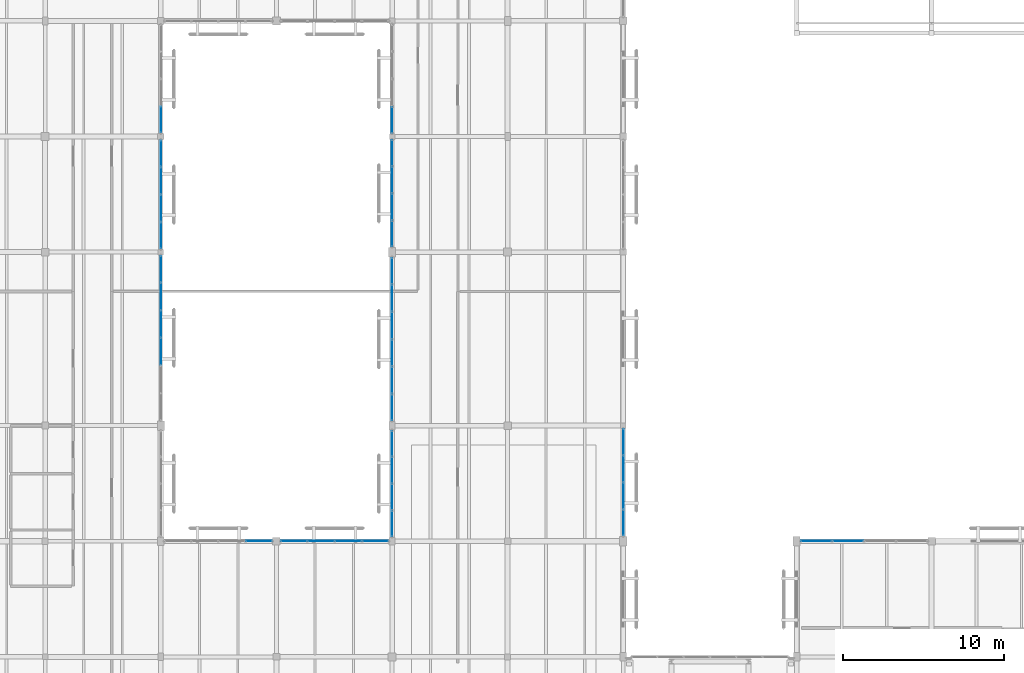
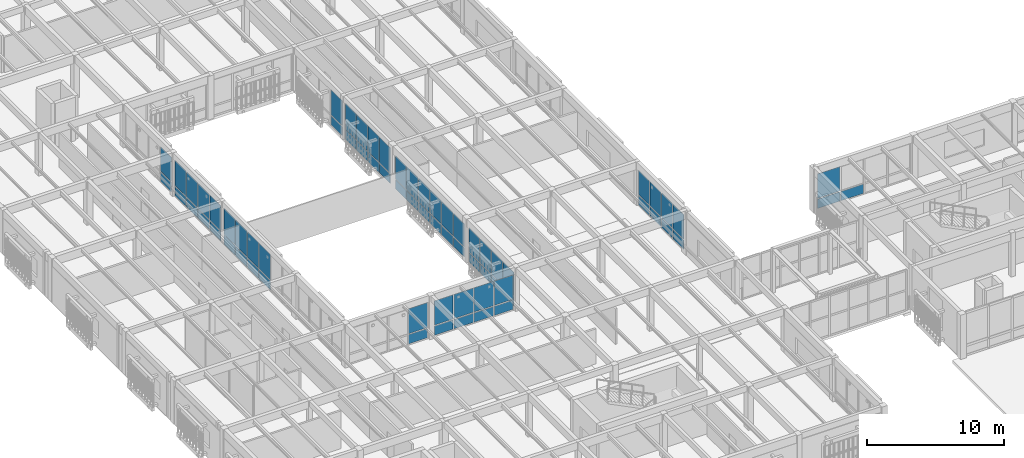
# One storey, part 164 of 217: 69 plates, 11 elements without a shape of their own.
"""IFC4 building model written with IfcOpenShell, lengths in metres."""

from ifc_helpers import new_model, si_unit, direction, frame, origin, origin_2d, place, context, subcontext, project, spatial, rectangle, extrude, material, layer, layer_set, type_object, element, aggregate, save


model = new_model("IFC4")

# Units and contexts
model_context = context("Model", 3, precision=1e-05, world=origin(), true_north=direction((0.0, 1.0)))
body_context = subcontext(model_context, "Body", "Model", "MODEL_VIEW")
ifc_project = project(units=[si_unit("LENGTHUNIT", "METRE"), si_unit("AREAUNIT", "SQUARE_METRE"), si_unit("VOLUMEUNIT", "CUBIC_METRE"), si_unit("PLANEANGLEUNIT", "RADIAN"), si_unit("MASSUNIT", "GRAM", prefix="KILO")], contexts=[model_context])

# Site, building, storey
site_placement = place(None, origin())
site = spatial("IfcSite", under=ifc_project, at=site_placement, CompositionType="ELEMENT")
building_placement = place(site_placement, origin())
building = spatial("IfcBuilding", under=site, at=building_placement, Name="Mazaris Harbour Polytechnic", CompositionType="ELEMENT")
storey_placement = place(building_placement, frame((0.0, 0.0, 9.60009765625)))
storey = spatial("IfcBuildingStorey", under=building, at=storey_placement, Name="L02", CompositionType="ELEMENT", Elevation=9.60009765625)

# Curtain wall, plates
ifc_material_1 = material(Name="Anodised Bronze Aluminium and Low-E Glass", Category="aluminium")
ifc_layer_1 = layer(ifc_material_1, 0.159912109375, Name="Anodised Bronze Aluminium and Low-E Glass")
ifc_layer_set_1 = layer_set([ifc_layer_1], Name="Anodised Bronze Aluminium and Low-E Glass")
curtain_wall_type = type_object("IfcCurtainWallType", Name="Cloister Court Curtain Wall", PredefinedType="NOTDEFINED", material=ifc_layer_set_1)
curtain_wall_1_placement = place(storey_placement, origin())
curtain_wall_1 = element("IfcCurtainWall", 1, at=curtain_wall_1_placement, inside=storey, type_object=curtain_wall_type, Name="V3 L02 Curtain Wall 86", PredefinedType="NOTDEFINED")
ifc_material_2 = material(Name="Low-E Double Glazing", Category="glass")
ifc_layer_2 = layer(ifc_material_2, 0.028076171875, Name="Low-E Double Glazing")
ifc_layer_set_2 = layer_set([ifc_layer_2], Name="Low-E Double Glazing")
plate_type = type_object("IfcPlateType", Name="Low-E Vision Glass Panel 28", PredefinedType="CURTAIN_PANEL", material=ifc_layer_set_2)
plate_1_placement = place(storey_placement, frame((55.227783203125, 36.0, 0.079833984375), z_axis=(0.0, 0.0, 1.0), x_axis=(1.0, 0.0, 0.0)))
plate_1 = element("IfcPlate", 2, at=plate_1_placement, type_object=plate_type, Name="CW-02 panel 1.1", PredefinedType="CURTAIN_PANEL", context=body_context, shape_type="SweptSolid", body=[
    extrude(rectangle(XDim=1.87158203125, YDim=0.028076171875, at=origin_2d()), origin(), (0.0, 0.0, 1.0), 0.830078125),
])
plate_2_placement = place(storey_placement, frame((55.227783203125, 36.0, 0.98974609375), z_axis=(0.0, 0.0, 1.0), x_axis=(1.0, 0.0, 0.0)))
plate_2 = element("IfcPlate", 3, at=plate_2_placement, type_object=plate_type, Name="CW-02 panel 1.2", PredefinedType="CURTAIN_PANEL", context=body_context, shape_type="SweptSolid", body=[
    extrude(rectangle(XDim=1.87158203125, YDim=0.028076171875, at=origin_2d()), origin(), (0.0, 0.0, 1.0), 2.175048828125),
])
plate_3_placement = place(storey_placement, frame((57.19921875, 36.0, 0.079833984375), z_axis=(0.0, 0.0, 1.0), x_axis=(1.0, 0.0, 0.0)))
plate_3 = element("IfcPlate", 4, at=plate_3_placement, type_object=plate_type, Name="CW-02 panel 2.1", PredefinedType="CURTAIN_PANEL", context=body_context, shape_type="SweptSolid", body=[
    extrude(rectangle(XDim=1.91162109375, YDim=0.028076171875, at=origin_2d()), origin(), (0.0, 0.0, 1.0), 0.830078125),
])
aggregate(curtain_wall_1, [plate_1, plate_2, plate_3])

curtain_wall_2_placement = place(storey_placement, origin())
curtain_wall_2 = element("IfcCurtainWall", 5, at=curtain_wall_2_placement, inside=storey, type_object=curtain_wall_type, Name="V4 L02 Curtain Wall 129", PredefinedType="NOTDEFINED")
plate_4_placement = place(storey_placement, frame((43.199951171875, 42.1748046875, 0.079833984375), z_axis=(0.0, 0.0, 1.0), x_axis=(0.0, -1.0, 0.0)))
plate_4 = element("IfcPlate", 6, at=plate_4_placement, type_object=plate_type, Name="CW-02 panel 1.1", PredefinedType="CURTAIN_PANEL", context=body_context, shape_type="SweptSolid", body=[
    extrude(rectangle(XDim=1.56640625, YDim=0.028076171875, at=origin_2d()), origin(), (0.0, 0.0, 1.0), 0.830078125),
])
plate_5_placement = place(storey_placement, frame((43.199951171875, 42.1748046875, 0.989990234375), z_axis=(0.0, 0.0, 1.0), x_axis=(0.0, -1.0, 0.0)))
plate_5 = element("IfcPlate", 7, at=plate_5_placement, type_object=plate_type, Name="CW-02 panel 1.2", PredefinedType="CURTAIN_PANEL", context=body_context, shape_type="SweptSolid", body=[
    extrude(rectangle(XDim=1.56640625, YDim=0.028076171875, at=origin_2d()), origin(), (0.0, 0.0, 1.0), 2.169921875),
])
plate_6_placement = place(storey_placement, frame((43.199951171875, 40.50830078125, 0.079833984375), z_axis=(0.0, 0.0, 1.0), x_axis=(0.0, -1.0, 0.0)))
plate_6 = element("IfcPlate", 8, at=plate_6_placement, type_object=plate_type, Name="CW-02 panel 2.1", PredefinedType="CURTAIN_PANEL", context=body_context, shape_type="SweptSolid", body=[
    extrude(rectangle(XDim=1.6064453125, YDim=0.028076171875, at=origin_2d()), origin(), (0.0, 0.0, 1.0), 0.830078125),
])
plate_7_placement = place(storey_placement, frame((43.199951171875, 40.50830078125, 0.989990234375), z_axis=(0.0, 0.0, 1.0), x_axis=(0.0, -1.0, 0.0)))
plate_7 = element("IfcPlate", 9, at=plate_7_placement, type_object=plate_type, Name="CW-02 panel 2.2", PredefinedType="CURTAIN_PANEL", context=body_context, shape_type="SweptSolid", body=[
    extrude(rectangle(XDim=1.6064453125, YDim=0.028076171875, at=origin_2d()), origin(), (0.0, 0.0, 1.0), 2.169921875),
])
plate_8_placement = place(storey_placement, frame((43.199951171875, 38.82177734375, 0.079833984375), z_axis=(0.0, 0.0, 1.0), x_axis=(0.0, -1.0, 0.0)))
plate_8 = element("IfcPlate", 10, at=plate_8_placement, type_object=plate_type, Name="CW-02 panel 3.1", PredefinedType="CURTAIN_PANEL", context=body_context, shape_type="SweptSolid", body=[
    extrude(rectangle(XDim=1.6064453125, YDim=0.028076171875, at=origin_2d()), origin(), (0.0, 0.0, 1.0), 0.830078125),
])
plate_9_placement = place(storey_placement, frame((43.199951171875, 38.82177734375, 0.989990234375), z_axis=(0.0, 0.0, 1.0), x_axis=(0.0, -1.0, 0.0)))
plate_9 = element("IfcPlate", 11, at=plate_9_placement, type_object=plate_type, Name="CW-02 panel 3.2", PredefinedType="CURTAIN_PANEL", context=body_context, shape_type="SweptSolid", body=[
    extrude(rectangle(XDim=1.6064453125, YDim=0.028076171875, at=origin_2d()), origin(), (0.0, 0.0, 1.0), 2.169921875),
])
plate_10_placement = place(storey_placement, frame((43.199951171875, 37.1552734375, 0.079833984375), z_axis=(0.0, 0.0, 1.0), x_axis=(0.0, -1.0, 0.0)))
plate_10 = element("IfcPlate", 12, at=plate_10_placement, type_object=plate_type, Name="CW-02 panel 4.1", PredefinedType="CURTAIN_PANEL", context=body_context, shape_type="SweptSolid", body=[
    extrude(rectangle(XDim=1.56640625, YDim=0.028076171875, at=origin_2d()), origin(), (0.0, 0.0, 1.0), 0.830078125),
])
plate_11_placement = place(storey_placement, frame((43.199951171875, 37.1552734375, 0.989990234375), z_axis=(0.0, 0.0, 1.0), x_axis=(0.0, -1.0, 0.0)))
plate_11 = element("IfcPlate", 13, at=plate_11_placement, type_object=plate_type, Name="CW-02 panel 4.2", PredefinedType="CURTAIN_PANEL", context=body_context, shape_type="SweptSolid", body=[
    extrude(rectangle(XDim=1.56640625, YDim=0.028076171875, at=origin_2d()), origin(), (0.0, 0.0, 1.0), 2.169921875),
])
aggregate(curtain_wall_2, [plate_4, plate_5, plate_6, plate_7, plate_8, plate_9, plate_10, plate_11])

curtain_wall_3_placement = place(storey_placement, origin())
curtain_wall_3 = element("IfcCurtainWall", 14, at=curtain_wall_3_placement, inside=storey, type_object=curtain_wall_type, Name="V4 L02 Curtain Wall 133", PredefinedType="NOTDEFINED")
plate_12_placement = place(storey_placement, frame((20.509765625, 36.0, 0.079833984375), z_axis=(0.0, 0.0, 1.0), x_axis=(1.0, 0.0, 0.0)))
plate_12 = element("IfcPlate", 15, at=plate_12_placement, type_object=plate_type, Name="CW-02 panel 4.1", PredefinedType="CURTAIN_PANEL", context=body_context, shape_type="SweptSolid", body=[
    extrude(rectangle(XDim=1.576416015625, YDim=0.028076171875, at=origin_2d()), origin(), (0.0, 0.0, 1.0), 0.830078125),
])
plate_13_placement = place(storey_placement, frame((20.509765625, 36.0, 0.989990234375), z_axis=(0.0, 0.0, 1.0), x_axis=(1.0, 0.0, 0.0)))
plate_13 = element("IfcPlate", 16, at=plate_13_placement, type_object=plate_type, Name="CW-02 panel 4.2", PredefinedType="CURTAIN_PANEL", context=body_context, shape_type="SweptSolid", body=[
    extrude(rectangle(XDim=1.576416015625, YDim=0.028076171875, at=origin_2d()), origin(), (0.0, 0.0, 1.0), 2.22998046875),
])
aggregate(curtain_wall_3, [plate_12, plate_13])

curtain_wall_4_placement = place(storey_placement, origin())
curtain_wall_4 = element("IfcCurtainWall", 17, at=curtain_wall_4_placement, inside=storey, type_object=curtain_wall_type, Name="V4 L02 Curtain Wall 134", PredefinedType="NOTDEFINED")
plate_14_placement = place(storey_placement, frame((22.69287109375, 36.0, 0.079833984375), z_axis=(0.0, 0.0, 1.0), x_axis=(1.0, 0.0, 0.0)))
plate_14 = element("IfcPlate", 18, at=plate_14_placement, type_object=plate_type, Name="CW-02 panel 1.1", PredefinedType="CURTAIN_PANEL", context=body_context, shape_type="SweptSolid", body=[
    extrude(rectangle(XDim=1.58154296875, YDim=0.028076171875, at=origin_2d()), origin(), (0.0, 0.0, 1.0), 0.830078125),
])
plate_15_placement = place(storey_placement, frame((22.69287109375, 36.0, 0.989990234375), z_axis=(0.0, 0.0, 1.0), x_axis=(1.0, 0.0, 0.0)))
plate_15 = element("IfcPlate", 19, at=plate_15_placement, type_object=plate_type, Name="CW-02 panel 1.2", PredefinedType="CURTAIN_PANEL", context=body_context, shape_type="SweptSolid", body=[
    extrude(rectangle(XDim=1.58154296875, YDim=0.028076171875, at=origin_2d()), origin(), (0.0, 0.0, 1.0), 2.169921875),
])
plate_16_placement = place(storey_placement, frame((24.374267578125, 36.0, 0.079833984375), z_axis=(0.0, 0.0, 1.0), x_axis=(1.0, 0.0, 0.0)))
plate_16 = element("IfcPlate", 20, at=plate_16_placement, type_object=plate_type, Name="CW-02 panel 2.1", PredefinedType="CURTAIN_PANEL", context=body_context, shape_type="SweptSolid", body=[
    extrude(rectangle(XDim=1.62158203125, YDim=0.028076171875, at=origin_2d()), origin(), (0.0, 0.0, 1.0), 0.830078125),
])
plate_17_placement = place(storey_placement, frame((24.374267578125, 36.0, 0.989990234375), z_axis=(0.0, 0.0, 1.0), x_axis=(1.0, 0.0, 0.0)))
plate_17 = element("IfcPlate", 21, at=plate_17_placement, type_object=plate_type, Name="CW-02 panel 2.2", PredefinedType="CURTAIN_PANEL", context=body_context, shape_type="SweptSolid", body=[
    extrude(rectangle(XDim=1.62158203125, YDim=0.028076171875, at=origin_2d()), origin(), (0.0, 0.0, 1.0), 2.169921875),
])
plate_18_placement = place(storey_placement, frame((26.07568359375, 36.0, 0.079833984375), z_axis=(0.0, 0.0, 1.0), x_axis=(1.0, 0.0, 0.0)))
plate_18 = element("IfcPlate", 22, at=plate_18_placement, type_object=plate_type, Name="CW-02 panel 3.1", PredefinedType="CURTAIN_PANEL", context=body_context, shape_type="SweptSolid", body=[
    extrude(rectangle(XDim=1.62158203125, YDim=0.028076171875, at=origin_2d()), origin(), (0.0, 0.0, 1.0), 0.830078125),
])
plate_19_placement = place(storey_placement, frame((26.07568359375, 36.0, 0.989990234375), z_axis=(0.0, 0.0, 1.0), x_axis=(1.0, 0.0, 0.0)))
plate_19 = element("IfcPlate", 23, at=plate_19_placement, type_object=plate_type, Name="CW-02 panel 3.2", PredefinedType="CURTAIN_PANEL", context=body_context, shape_type="SweptSolid", body=[
    extrude(rectangle(XDim=1.62158203125, YDim=0.028076171875, at=origin_2d()), origin(), (0.0, 0.0, 1.0), 2.169921875),
])
plate_20_placement = place(storey_placement, frame((27.75732421875, 36.0, 0.079833984375), z_axis=(0.0, 0.0, 1.0), x_axis=(1.0, 0.0, 0.0)))
plate_20 = element("IfcPlate", 24, at=plate_20_placement, type_object=plate_type, Name="CW-02 panel 4.1", PredefinedType="CURTAIN_PANEL", context=body_context, shape_type="SweptSolid", body=[
    extrude(rectangle(XDim=1.58154296875, YDim=0.028076171875, at=origin_2d()), origin(), (0.0, 0.0, 1.0), 0.830078125),
])
plate_21_placement = place(storey_placement, frame((27.75732421875, 36.0, 0.989990234375), z_axis=(0.0, 0.0, 1.0), x_axis=(1.0, 0.0, 0.0)))
plate_21 = element("IfcPlate", 25, at=plate_21_placement, type_object=plate_type, Name="CW-02 panel 4.2", PredefinedType="CURTAIN_PANEL", context=body_context, shape_type="SweptSolid", body=[
    extrude(rectangle(XDim=1.58154296875, YDim=0.028076171875, at=origin_2d()), origin(), (0.0, 0.0, 1.0), 2.169921875),
])
aggregate(curtain_wall_4, [plate_14, plate_15, plate_16, plate_17, plate_18, plate_19, plate_20, plate_21])

curtain_wall_5_placement = place(storey_placement, origin())
curtain_wall_5 = element("IfcCurtainWall", 26, at=curtain_wall_5_placement, inside=storey, type_object=curtain_wall_type, Name="V4 L02 Curtain Wall 138", PredefinedType="NOTDEFINED")
plate_22_placement = place(storey_placement, frame((14.39990234375, 47.802734375, 0.079833984375), z_axis=(0.0, 0.0, 1.0), x_axis=(0.0, 1.0, 0.0)))
plate_22 = element("IfcPlate", 27, at=plate_22_placement, type_object=plate_type, Name="CW-02 panel 3.1", PredefinedType="CURTAIN_PANEL", context=body_context, shape_type="SweptSolid", body=[
    extrude(rectangle(XDim=1.644287109375, YDim=0.028076171875, at=origin_2d()), origin(), (0.0, 0.0, 1.0), 0.830078125),
])
plate_23_placement = place(storey_placement, frame((14.39990234375, 47.802734375, 0.989990234375), z_axis=(0.0, 0.0, 1.0), x_axis=(0.0, 1.0, 0.0)))
plate_23 = element("IfcPlate", 28, at=plate_23_placement, type_object=plate_type, Name="CW-02 panel 3.2", PredefinedType="CURTAIN_PANEL", context=body_context, shape_type="SweptSolid", body=[
    extrude(rectangle(XDim=1.644287109375, YDim=0.028076171875, at=origin_2d()), origin(), (0.0, 0.0, 1.0), 2.2900390625),
])
plate_24_placement = place(storey_placement, frame((14.39990234375, 49.527099609375, 0.079833984375), z_axis=(0.0, 0.0, 1.0), x_axis=(0.0, 1.0, 0.0)))
plate_24 = element("IfcPlate", 29, at=plate_24_placement, type_object=plate_type, Name="CW-02 panel 4.1", PredefinedType="CURTAIN_PANEL", context=body_context, shape_type="SweptSolid", body=[
    extrude(rectangle(XDim=1.644287109375, YDim=0.028076171875, at=origin_2d()), origin(), (0.0, 0.0, 1.0), 0.830078125),
])
plate_25_placement = place(storey_placement, frame((14.39990234375, 49.527099609375, 0.989990234375), z_axis=(0.0, 0.0, 1.0), x_axis=(0.0, 1.0, 0.0)))
plate_25 = element("IfcPlate", 30, at=plate_25_placement, type_object=plate_type, Name="CW-02 panel 4.2", PredefinedType="CURTAIN_PANEL", context=body_context, shape_type="SweptSolid", body=[
    extrude(rectangle(XDim=1.644287109375, YDim=0.028076171875, at=origin_2d()), origin(), (0.0, 0.0, 1.0), 2.2900390625),
])
plate_26_placement = place(storey_placement, frame((14.39990234375, 51.25146484375, 0.079833984375), z_axis=(0.0, 0.0, 1.0), x_axis=(0.0, 1.0, 0.0)))
plate_26 = element("IfcPlate", 31, at=plate_26_placement, type_object=plate_type, Name="CW-02 panel 5.1", PredefinedType="CURTAIN_PANEL", context=body_context, shape_type="SweptSolid", body=[
    extrude(rectangle(XDim=1.644287109375, YDim=0.028076171875, at=origin_2d()), origin(), (0.0, 0.0, 1.0), 0.830078125),
])
plate_27_placement = place(storey_placement, frame((14.39990234375, 51.25146484375, 0.989990234375), z_axis=(0.0, 0.0, 1.0), x_axis=(0.0, 1.0, 0.0)))
plate_27 = element("IfcPlate", 32, at=plate_27_placement, type_object=plate_type, Name="CW-02 panel 5.2", PredefinedType="CURTAIN_PANEL", context=body_context, shape_type="SweptSolid", body=[
    extrude(rectangle(XDim=1.644287109375, YDim=0.028076171875, at=origin_2d()), origin(), (0.0, 0.0, 1.0), 2.2900390625),
])
plate_28_placement = place(storey_placement, frame((14.39990234375, 52.955810546875, 0.079833984375), z_axis=(0.0, 0.0, 1.0), x_axis=(0.0, 1.0, 0.0)))
plate_28 = element("IfcPlate", 33, at=plate_28_placement, type_object=plate_type, Name="CW-02 panel 6.1", PredefinedType="CURTAIN_PANEL", context=body_context, shape_type="SweptSolid", body=[
    extrude(rectangle(XDim=1.604248046875, YDim=0.028076171875, at=origin_2d()), origin(), (0.0, 0.0, 1.0), 0.830078125),
])
plate_29_placement = place(storey_placement, frame((14.39990234375, 52.955810546875, 0.989990234375), z_axis=(0.0, 0.0, 1.0), x_axis=(0.0, 1.0, 0.0)))
plate_29 = element("IfcPlate", 34, at=plate_29_placement, type_object=plate_type, Name="CW-02 panel 6.2", PredefinedType="CURTAIN_PANEL", context=body_context, shape_type="SweptSolid", body=[
    extrude(rectangle(XDim=1.604248046875, YDim=0.028076171875, at=origin_2d()), origin(), (0.0, 0.0, 1.0), 2.2900390625),
])
aggregate(curtain_wall_5, [plate_22, plate_23, plate_24, plate_25, plate_26, plate_27, plate_28, plate_29])

curtain_wall_6_placement = place(storey_placement, origin())
curtain_wall_6 = element("IfcCurtainWall", 35, at=curtain_wall_6_placement, inside=storey, type_object=curtain_wall_type, Name="V4 L02 Curtain Wall 139", PredefinedType="NOTDEFINED")
plate_30_placement = place(storey_placement, frame((14.39990234375, 55.0390625, 0.079833984375), z_axis=(0.0, 0.0, 1.0), x_axis=(0.0, 1.0, 0.0)))
plate_30 = element("IfcPlate", 36, at=plate_30_placement, type_object=plate_type, Name="CW-02 panel 1.1", PredefinedType="CURTAIN_PANEL", context=body_context, shape_type="SweptSolid", body=[
    extrude(rectangle(XDim=1.593994140625, YDim=0.028076171875, at=origin_2d()), origin(), (0.0, 0.0, 1.0), 0.830078125),
])
plate_31_placement = place(storey_placement, frame((14.39990234375, 55.0390625, 0.989990234375), z_axis=(0.0, 0.0, 1.0), x_axis=(0.0, 1.0, 0.0)))
plate_31 = element("IfcPlate", 37, at=plate_31_placement, type_object=plate_type, Name="CW-02 panel 1.2", PredefinedType="CURTAIN_PANEL", context=body_context, shape_type="SweptSolid", body=[
    extrude(rectangle(XDim=1.593994140625, YDim=0.028076171875, at=origin_2d()), origin(), (0.0, 0.0, 1.0), 2.22998046875),
])
plate_32_placement = place(storey_placement, frame((14.39990234375, 56.73291015625, 0.079833984375), z_axis=(0.0, 0.0, 1.0), x_axis=(0.0, 1.0, 0.0)))
plate_32 = element("IfcPlate", 38, at=plate_32_placement, type_object=plate_type, Name="CW-02 panel 2.1", PredefinedType="CURTAIN_PANEL", context=body_context, shape_type="SweptSolid", body=[
    extrude(rectangle(XDim=1.634033203125, YDim=0.028076171875, at=origin_2d()), origin(), (0.0, 0.0, 1.0), 0.830078125),
])
plate_33_placement = place(storey_placement, frame((14.39990234375, 56.73291015625, 0.989990234375), z_axis=(0.0, 0.0, 1.0), x_axis=(0.0, 1.0, 0.0)))
plate_33 = element("IfcPlate", 39, at=plate_33_placement, type_object=plate_type, Name="CW-02 panel 2.2", PredefinedType="CURTAIN_PANEL", context=body_context, shape_type="SweptSolid", body=[
    extrude(rectangle(XDim=1.634033203125, YDim=0.028076171875, at=origin_2d()), origin(), (0.0, 0.0, 1.0), 2.22998046875),
])
plate_34_placement = place(storey_placement, frame((14.39990234375, 58.447021484375, 0.079833984375), z_axis=(0.0, 0.0, 1.0), x_axis=(0.0, 1.0, 0.0)))
plate_34 = element("IfcPlate", 40, at=plate_34_placement, type_object=plate_type, Name="CW-02 panel 3.1", PredefinedType="CURTAIN_PANEL", context=body_context, shape_type="SweptSolid", body=[
    extrude(rectangle(XDim=1.634033203125, YDim=0.028076171875, at=origin_2d()), origin(), (0.0, 0.0, 1.0), 0.830078125),
])
plate_35_placement = place(storey_placement, frame((14.39990234375, 58.447021484375, 0.989990234375), z_axis=(0.0, 0.0, 1.0), x_axis=(0.0, 1.0, 0.0)))
plate_35 = element("IfcPlate", 41, at=plate_35_placement, type_object=plate_type, Name="CW-02 panel 3.2", PredefinedType="CURTAIN_PANEL", context=body_context, shape_type="SweptSolid", body=[
    extrude(rectangle(XDim=1.634033203125, YDim=0.028076171875, at=origin_2d()), origin(), (0.0, 0.0, 1.0), 2.22998046875),
])
plate_36_placement = place(storey_placement, frame((14.39990234375, 60.14111328125, 0.079833984375), z_axis=(0.0, 0.0, 1.0), x_axis=(0.0, 1.0, 0.0)))
plate_36 = element("IfcPlate", 42, at=plate_36_placement, type_object=plate_type, Name="CW-02 panel 4.1", PredefinedType="CURTAIN_PANEL", context=body_context, shape_type="SweptSolid", body=[
    extrude(rectangle(XDim=1.593994140625, YDim=0.028076171875, at=origin_2d()), origin(), (0.0, 0.0, 1.0), 0.830078125),
])
plate_37_placement = place(storey_placement, frame((14.39990234375, 60.14111328125, 0.989990234375), z_axis=(0.0, 0.0, 1.0), x_axis=(0.0, 1.0, 0.0)))
plate_37 = element("IfcPlate", 43, at=plate_37_placement, type_object=plate_type, Name="CW-02 panel 4.2", PredefinedType="CURTAIN_PANEL", context=body_context, shape_type="SweptSolid", body=[
    extrude(rectangle(XDim=1.593994140625, YDim=0.028076171875, at=origin_2d()), origin(), (0.0, 0.0, 1.0), 2.22998046875),
])
aggregate(curtain_wall_6, [plate_30, plate_31, plate_32, plate_33, plate_34, plate_35, plate_36, plate_37])

curtain_wall_7_placement = place(storey_placement, origin())
curtain_wall_7 = element("IfcCurtainWall", 44, at=curtain_wall_7_placement, inside=storey, type_object=curtain_wall_type, Name="V4 L02 Curtain Wall 140", PredefinedType="NOTDEFINED")
plate_38_placement = place(storey_placement, frame((14.39990234375, 62.25390625, 0.079833984375), z_axis=(0.0, 0.0, 1.0), x_axis=(0.0, 1.0, 0.0)))
plate_38 = element("IfcPlate", 45, at=plate_38_placement, type_object=plate_type, Name="CW-02 panel 1.1", PredefinedType="CURTAIN_PANEL", context=body_context, shape_type="SweptSolid", body=[
    extrude(rectangle(XDim=1.583984375, YDim=0.028076171875, at=origin_2d()), origin(), (0.0, 0.0, 1.0), 0.830078125),
])
plate_39_placement = place(storey_placement, frame((14.39990234375, 62.25390625, 0.989990234375), z_axis=(0.0, 0.0, 1.0), x_axis=(0.0, 1.0, 0.0)))
plate_39 = element("IfcPlate", 46, at=plate_39_placement, type_object=plate_type, Name="CW-02 panel 1.2", PredefinedType="CURTAIN_PANEL", context=body_context, shape_type="SweptSolid", body=[
    extrude(rectangle(XDim=1.583984375, YDim=0.028076171875, at=origin_2d()), origin(), (0.0, 0.0, 1.0), 2.169921875),
])
aggregate(curtain_wall_7, [plate_38, plate_39])

curtain_wall_8_placement = place(storey_placement, origin())
curtain_wall_8 = element("IfcCurtainWall", 47, at=curtain_wall_8_placement, inside=storey, type_object=curtain_wall_type, Name="V4 L02 Curtain Wall 141", PredefinedType="NOTDEFINED")
plate_40_placement = place(storey_placement, frame((28.800048828125, 42.079833984375, 0.079833984375), z_axis=(0.0, 0.0, 1.0), x_axis=(0.0, -1.0, 0.0)))
plate_40 = element("IfcPlate", 48, at=plate_40_placement, type_object=plate_type, Name="CW-02 panel 1.1", PredefinedType="CURTAIN_PANEL", context=body_context, shape_type="SweptSolid", body=[
    extrude(rectangle(XDim=1.556396484375, YDim=0.028076171875, at=origin_2d()), origin(), (0.0, 0.0, 1.0), 0.830078125),
])
plate_41_placement = place(storey_placement, frame((28.800048828125, 42.079833984375, 0.989990234375), z_axis=(0.0, 0.0, 1.0), x_axis=(0.0, -1.0, 0.0)))
plate_41 = element("IfcPlate", 49, at=plate_41_placement, type_object=plate_type, Name="CW-02 panel 1.2", PredefinedType="CURTAIN_PANEL", context=body_context, shape_type="SweptSolid", body=[
    extrude(rectangle(XDim=1.556396484375, YDim=0.028076171875, at=origin_2d()), origin(), (0.0, 0.0, 1.0), 2.1298828125),
])
plate_42_placement = place(storey_placement, frame((28.800048828125, 40.42333984375, 0.079833984375), z_axis=(0.0, 0.0, 1.0), x_axis=(0.0, -1.0, 0.0)))
plate_42 = element("IfcPlate", 50, at=plate_42_placement, type_object=plate_type, Name="CW-02 panel 2.1", PredefinedType="CURTAIN_PANEL", context=body_context, shape_type="SweptSolid", body=[
    extrude(rectangle(XDim=1.596435546875, YDim=0.028076171875, at=origin_2d()), origin(), (0.0, 0.0, 1.0), 0.830078125),
])
plate_43_placement = place(storey_placement, frame((28.800048828125, 40.42333984375, 0.989990234375), z_axis=(0.0, 0.0, 1.0), x_axis=(0.0, -1.0, 0.0)))
plate_43 = element("IfcPlate", 51, at=plate_43_placement, type_object=plate_type, Name="CW-02 panel 2.2", PredefinedType="CURTAIN_PANEL", context=body_context, shape_type="SweptSolid", body=[
    extrude(rectangle(XDim=1.596435546875, YDim=0.028076171875, at=origin_2d()), origin(), (0.0, 0.0, 1.0), 2.1298828125),
])
plate_44_placement = place(storey_placement, frame((28.800048828125, 38.746826171875, 0.079833984375), z_axis=(0.0, 0.0, 1.0), x_axis=(0.0, -1.0, 0.0)))
plate_44 = element("IfcPlate", 52, at=plate_44_placement, type_object=plate_type, Name="CW-02 panel 3.1", PredefinedType="CURTAIN_PANEL", context=body_context, shape_type="SweptSolid", body=[
    extrude(rectangle(XDim=1.596435546875, YDim=0.028076171875, at=origin_2d()), origin(), (0.0, 0.0, 1.0), 0.830078125),
])
plate_45_placement = place(storey_placement, frame((28.800048828125, 38.746826171875, 0.989990234375), z_axis=(0.0, 0.0, 1.0), x_axis=(0.0, -1.0, 0.0)))
plate_45 = element("IfcPlate", 53, at=plate_45_placement, type_object=plate_type, Name="CW-02 panel 3.2", PredefinedType="CURTAIN_PANEL", context=body_context, shape_type="SweptSolid", body=[
    extrude(rectangle(XDim=1.596435546875, YDim=0.028076171875, at=origin_2d()), origin(), (0.0, 0.0, 1.0), 2.1298828125),
])
plate_46_placement = place(storey_placement, frame((28.800048828125, 37.09033203125, 0.079833984375), z_axis=(0.0, 0.0, 1.0), x_axis=(0.0, -1.0, 0.0)))
plate_46 = element("IfcPlate", 54, at=plate_46_placement, type_object=plate_type, Name="CW-02 panel 4.1", PredefinedType="CURTAIN_PANEL", context=body_context, shape_type="SweptSolid", body=[
    extrude(rectangle(XDim=1.556396484375, YDim=0.028076171875, at=origin_2d()), origin(), (0.0, 0.0, 1.0), 0.830078125),
])
plate_47_placement = place(storey_placement, frame((28.800048828125, 37.09033203125, 0.989990234375), z_axis=(0.0, 0.0, 1.0), x_axis=(0.0, -1.0, 0.0)))
plate_47 = element("IfcPlate", 55, at=plate_47_placement, type_object=plate_type, Name="CW-02 panel 4.2", PredefinedType="CURTAIN_PANEL", context=body_context, shape_type="SweptSolid", body=[
    extrude(rectangle(XDim=1.556396484375, YDim=0.028076171875, at=origin_2d()), origin(), (0.0, 0.0, 1.0), 2.1298828125),
])
aggregate(curtain_wall_8, [plate_40, plate_41, plate_42, plate_43, plate_44, plate_45, plate_46, plate_47])

curtain_wall_9_placement = place(storey_placement, origin())
curtain_wall_9 = element("IfcCurtainWall", 56, at=curtain_wall_9_placement, inside=storey, type_object=curtain_wall_type, Name="V4 L02 Curtain Wall 142", PredefinedType="NOTDEFINED")
plate_48_placement = place(storey_placement, frame((28.800048828125, 52.834228515625, 0.079833984375), z_axis=(0.0, 0.0, 1.0), x_axis=(0.0, -1.0, 0.0)))
plate_48 = element("IfcPlate", 57, at=plate_48_placement, type_object=plate_type, Name="CW-02 panel 1.1", PredefinedType="CURTAIN_PANEL", context=body_context, shape_type="SweptSolid", body=[
    extrude(rectangle(XDim=1.587646484375, YDim=0.028076171875, at=origin_2d()), origin(), (0.0, 0.0, 1.0), 0.830078125),
])
plate_49_placement = place(storey_placement, frame((28.800048828125, 52.834228515625, 0.98974609375), z_axis=(0.0, 0.0, 1.0), x_axis=(0.0, -1.0, 0.0)))
plate_49 = element("IfcPlate", 58, at=plate_49_placement, type_object=plate_type, Name="CW-02 panel 1.2", PredefinedType="CURTAIN_PANEL", context=body_context, shape_type="SweptSolid", body=[
    extrude(rectangle(XDim=1.587646484375, YDim=0.028076171875, at=origin_2d()), origin(), (0.0, 0.0, 1.0), 2.070068359375),
])
plate_50_placement = place(storey_placement, frame((28.800048828125, 51.146484375, 0.079833984375), z_axis=(0.0, 0.0, 1.0), x_axis=(0.0, -1.0, 0.0)))
plate_50 = element("IfcPlate", 59, at=plate_50_placement, type_object=plate_type, Name="CW-02 panel 2.1", PredefinedType="CURTAIN_PANEL", context=body_context, shape_type="SweptSolid", body=[
    extrude(rectangle(XDim=1.627685546875, YDim=0.028076171875, at=origin_2d()), origin(), (0.0, 0.0, 1.0), 0.830078125),
])
plate_51_placement = place(storey_placement, frame((28.800048828125, 51.146484375, 0.98974609375), z_axis=(0.0, 0.0, 1.0), x_axis=(0.0, -1.0, 0.0)))
plate_51 = element("IfcPlate", 60, at=plate_51_placement, type_object=plate_type, Name="CW-02 panel 2.2", PredefinedType="CURTAIN_PANEL", context=body_context, shape_type="SweptSolid", body=[
    extrude(rectangle(XDim=1.627685546875, YDim=0.028076171875, at=origin_2d()), origin(), (0.0, 0.0, 1.0), 2.070068359375),
])
plate_52_placement = place(storey_placement, frame((28.800048828125, 49.438720703125, 0.079833984375), z_axis=(0.0, 0.0, 1.0), x_axis=(0.0, -1.0, 0.0)))
plate_52 = element("IfcPlate", 61, at=plate_52_placement, type_object=plate_type, Name="CW-02 panel 3.1", PredefinedType="CURTAIN_PANEL", context=body_context, shape_type="SweptSolid", body=[
    extrude(rectangle(XDim=1.627685546875, YDim=0.028076171875, at=origin_2d()), origin(), (0.0, 0.0, 1.0), 0.830078125),
])
plate_53_placement = place(storey_placement, frame((28.800048828125, 49.438720703125, 0.98974609375), z_axis=(0.0, 0.0, 1.0), x_axis=(0.0, -1.0, 0.0)))
plate_53 = element("IfcPlate", 62, at=plate_53_placement, type_object=plate_type, Name="CW-02 panel 3.2", PredefinedType="CURTAIN_PANEL", context=body_context, shape_type="SweptSolid", body=[
    extrude(rectangle(XDim=1.627685546875, YDim=0.028076171875, at=origin_2d()), origin(), (0.0, 0.0, 1.0), 2.070068359375),
])
plate_54_placement = place(storey_placement, frame((28.800048828125, 47.731201171875, 0.079833984375), z_axis=(0.0, 0.0, 1.0), x_axis=(0.0, -1.0, 0.0)))
plate_54 = element("IfcPlate", 63, at=plate_54_placement, type_object=plate_type, Name="CW-02 panel 4.1", PredefinedType="CURTAIN_PANEL", context=body_context, shape_type="SweptSolid", body=[
    extrude(rectangle(XDim=1.627685546875, YDim=0.028076171875, at=origin_2d()), origin(), (0.0, 0.0, 1.0), 0.830078125),
])
plate_55_placement = place(storey_placement, frame((28.800048828125, 47.731201171875, 0.98974609375), z_axis=(0.0, 0.0, 1.0), x_axis=(0.0, -1.0, 0.0)))
plate_55 = element("IfcPlate", 64, at=plate_55_placement, type_object=plate_type, Name="CW-02 panel 4.2", PredefinedType="CURTAIN_PANEL", context=body_context, shape_type="SweptSolid", body=[
    extrude(rectangle(XDim=1.627685546875, YDim=0.028076171875, at=origin_2d()), origin(), (0.0, 0.0, 1.0), 2.070068359375),
])
plate_56_placement = place(storey_placement, frame((28.800048828125, 46.0234375, 0.079833984375), z_axis=(0.0, 0.0, 1.0), x_axis=(0.0, -1.0, 0.0)))
plate_56 = element("IfcPlate", 65, at=plate_56_placement, type_object=plate_type, Name="CW-02 panel 5.1", PredefinedType="CURTAIN_PANEL", context=body_context, shape_type="SweptSolid", body=[
    extrude(rectangle(XDim=1.627685546875, YDim=0.028076171875, at=origin_2d()), origin(), (0.0, 0.0, 1.0), 0.830078125),
])
plate_57_placement = place(storey_placement, frame((28.800048828125, 46.0234375, 0.98974609375), z_axis=(0.0, 0.0, 1.0), x_axis=(0.0, -1.0, 0.0)))
plate_57 = element("IfcPlate", 66, at=plate_57_placement, type_object=plate_type, Name="CW-02 panel 5.2", PredefinedType="CURTAIN_PANEL", context=body_context, shape_type="SweptSolid", body=[
    extrude(rectangle(XDim=1.627685546875, YDim=0.028076171875, at=origin_2d()), origin(), (0.0, 0.0, 1.0), 2.070068359375),
])
plate_58_placement = place(storey_placement, frame((28.800048828125, 44.3359375, 0.079833984375), z_axis=(0.0, 0.0, 1.0), x_axis=(0.0, -1.0, 0.0)))
plate_58 = element("IfcPlate", 67, at=plate_58_placement, type_object=plate_type, Name="CW-02 panel 6.1", PredefinedType="CURTAIN_PANEL", context=body_context, shape_type="SweptSolid", body=[
    extrude(rectangle(XDim=1.587646484375, YDim=0.028076171875, at=origin_2d()), origin(), (0.0, 0.0, 1.0), 0.830078125),
])
plate_59_placement = place(storey_placement, frame((28.800048828125, 44.3359375, 0.98974609375), z_axis=(0.0, 0.0, 1.0), x_axis=(0.0, -1.0, 0.0)))
plate_59 = element("IfcPlate", 68, at=plate_59_placement, type_object=plate_type, Name="CW-02 panel 6.2", PredefinedType="CURTAIN_PANEL", context=body_context, shape_type="SweptSolid", body=[
    extrude(rectangle(XDim=1.587646484375, YDim=0.028076171875, at=origin_2d()), origin(), (0.0, 0.0, 1.0), 2.070068359375),
])
aggregate(curtain_wall_9, [plate_48, plate_49, plate_50, plate_51, plate_52, plate_53, plate_54, plate_55, plate_56, plate_57, plate_58, plate_59])

curtain_wall_10_placement = place(storey_placement, origin())
curtain_wall_10 = element("IfcCurtainWall", 69, at=curtain_wall_10_placement, inside=storey, type_object=curtain_wall_type, Name="V4 L02 Curtain Wall 143", PredefinedType="NOTDEFINED")
plate_60_placement = place(storey_placement, frame((28.800048828125, 60.1748046875, 0.079833984375), z_axis=(0.0, 0.0, 1.0), x_axis=(0.0, -1.0, 0.0)))
plate_60 = element("IfcPlate", 70, at=plate_60_placement, type_object=plate_type, Name="CW-02 panel 1.1", PredefinedType="CURTAIN_PANEL", context=body_context, shape_type="SweptSolid", body=[
    extrude(rectangle(XDim=1.56640625, YDim=0.028076171875, at=origin_2d()), origin(), (0.0, 0.0, 1.0), 0.830078125),
])
plate_61_placement = place(storey_placement, frame((28.800048828125, 60.1748046875, 0.989990234375), z_axis=(0.0, 0.0, 1.0), x_axis=(0.0, -1.0, 0.0)))
plate_61 = element("IfcPlate", 71, at=plate_61_placement, type_object=plate_type, Name="CW-02 panel 1.2", PredefinedType="CURTAIN_PANEL", context=body_context, shape_type="SweptSolid", body=[
    extrude(rectangle(XDim=1.56640625, YDim=0.028076171875, at=origin_2d()), origin(), (0.0, 0.0, 1.0), 2.2900390625),
])
plate_62_placement = place(storey_placement, frame((28.800048828125, 58.50830078125, 0.079833984375), z_axis=(0.0, 0.0, 1.0), x_axis=(0.0, -1.0, 0.0)))
plate_62 = element("IfcPlate", 72, at=plate_62_placement, type_object=plate_type, Name="CW-02 panel 2.1", PredefinedType="CURTAIN_PANEL", context=body_context, shape_type="SweptSolid", body=[
    extrude(rectangle(XDim=1.6064453125, YDim=0.028076171875, at=origin_2d()), origin(), (0.0, 0.0, 1.0), 0.830078125),
])
plate_63_placement = place(storey_placement, frame((28.800048828125, 58.50830078125, 0.989990234375), z_axis=(0.0, 0.0, 1.0), x_axis=(0.0, -1.0, 0.0)))
plate_63 = element("IfcPlate", 73, at=plate_63_placement, type_object=plate_type, Name="CW-02 panel 2.2", PredefinedType="CURTAIN_PANEL", context=body_context, shape_type="SweptSolid", body=[
    extrude(rectangle(XDim=1.6064453125, YDim=0.028076171875, at=origin_2d()), origin(), (0.0, 0.0, 1.0), 2.2900390625),
])
plate_64_placement = place(storey_placement, frame((28.800048828125, 56.82177734375, 0.079833984375), z_axis=(0.0, 0.0, 1.0), x_axis=(0.0, -1.0, 0.0)))
plate_64 = element("IfcPlate", 74, at=plate_64_placement, type_object=plate_type, Name="CW-02 panel 3.1", PredefinedType="CURTAIN_PANEL", context=body_context, shape_type="SweptSolid", body=[
    extrude(rectangle(XDim=1.6064453125, YDim=0.028076171875, at=origin_2d()), origin(), (0.0, 0.0, 1.0), 0.830078125),
])
plate_65_placement = place(storey_placement, frame((28.800048828125, 56.82177734375, 0.989990234375), z_axis=(0.0, 0.0, 1.0), x_axis=(0.0, -1.0, 0.0)))
plate_65 = element("IfcPlate", 75, at=plate_65_placement, type_object=plate_type, Name="CW-02 panel 3.2", PredefinedType="CURTAIN_PANEL", context=body_context, shape_type="SweptSolid", body=[
    extrude(rectangle(XDim=1.6064453125, YDim=0.028076171875, at=origin_2d()), origin(), (0.0, 0.0, 1.0), 2.2900390625),
])
plate_66_placement = place(storey_placement, frame((28.800048828125, 55.1552734375, 0.079833984375), z_axis=(0.0, 0.0, 1.0), x_axis=(0.0, -1.0, 0.0)))
plate_66 = element("IfcPlate", 76, at=plate_66_placement, type_object=plate_type, Name="CW-02 panel 4.1", PredefinedType="CURTAIN_PANEL", context=body_context, shape_type="SweptSolid", body=[
    extrude(rectangle(XDim=1.56640625, YDim=0.028076171875, at=origin_2d()), origin(), (0.0, 0.0, 1.0), 0.830078125),
])
plate_67_placement = place(storey_placement, frame((28.800048828125, 55.1552734375, 0.989990234375), z_axis=(0.0, 0.0, 1.0), x_axis=(0.0, -1.0, 0.0)))
plate_67 = element("IfcPlate", 77, at=plate_67_placement, type_object=plate_type, Name="CW-02 panel 4.2", PredefinedType="CURTAIN_PANEL", context=body_context, shape_type="SweptSolid", body=[
    extrude(rectangle(XDim=1.56640625, YDim=0.028076171875, at=origin_2d()), origin(), (0.0, 0.0, 1.0), 2.2900390625),
])
aggregate(curtain_wall_10, [plate_60, plate_61, plate_62, plate_63, plate_64, plate_65, plate_66, plate_67])

curtain_wall_11_placement = place(storey_placement, origin())
curtain_wall_11 = element("IfcCurtainWall", 78, at=curtain_wall_11_placement, inside=storey, type_object=curtain_wall_type, Name="V4 L02 Curtain Wall 144", PredefinedType="NOTDEFINED")
plate_68_placement = place(storey_placement, frame((28.800048828125, 62.239013671875, 0.079833984375), z_axis=(0.0, 0.0, 1.0), x_axis=(0.0, -1.0, 0.0)))
plate_68 = element("IfcPlate", 79, at=plate_68_placement, type_object=plate_type, Name="CW-02 panel 4.1", PredefinedType="CURTAIN_PANEL", context=body_context, shape_type="SweptSolid", body=[
    extrude(rectangle(XDim=1.593994140625, YDim=0.028076171875, at=origin_2d()), origin(), (0.0, 0.0, 1.0), 0.830078125),
])
plate_69_placement = place(storey_placement, frame((28.800048828125, 62.239013671875, 0.989990234375), z_axis=(0.0, 0.0, 1.0), x_axis=(0.0, -1.0, 0.0)))
plate_69 = element("IfcPlate", 80, at=plate_69_placement, type_object=plate_type, Name="CW-02 panel 4.2", PredefinedType="CURTAIN_PANEL", context=body_context, shape_type="SweptSolid", body=[
    extrude(rectangle(XDim=1.593994140625, YDim=0.028076171875, at=origin_2d()), origin(), (0.0, 0.0, 1.0), 2.22998046875),
])
aggregate(curtain_wall_11, [plate_68, plate_69])

save(model, "model.ifc")
